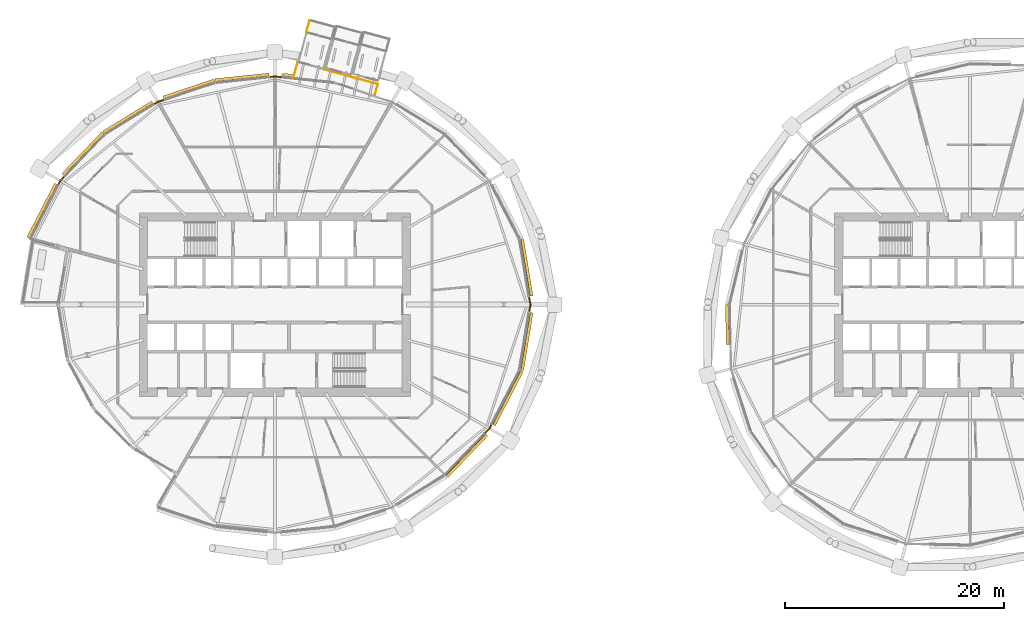
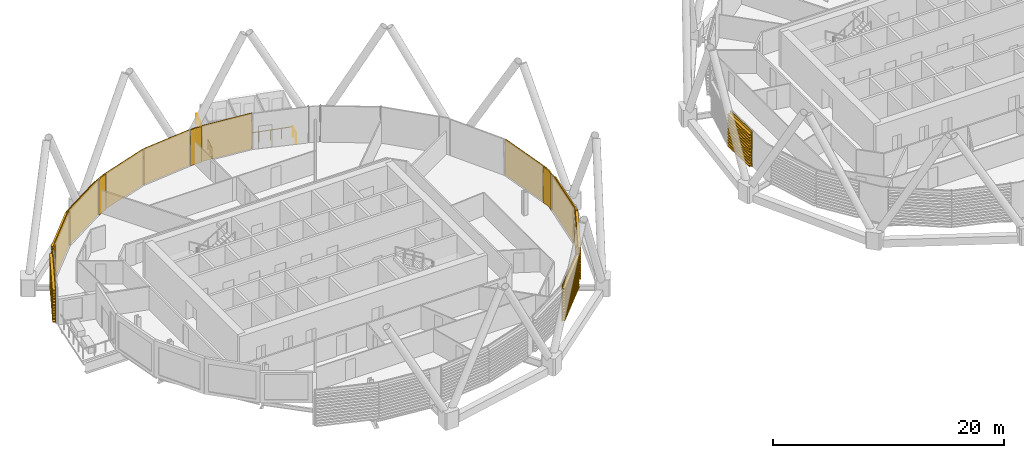
# One storey, part 34 of 38: 16 coverings, 4 railings.
"""IFC4 building model written with IfcOpenShell, lengths in metres."""

from ifc_helpers import new_model, si_unit, direction, frame, origin, origin_2d, place, context, subcontext, project, spatial, polyline, circle, outline, extrude, material, layer, layer_set, material_profile, profile_set, type_object, element, save


model = new_model("IFC4")

# Units and contexts
model_context = context("Model", 3, precision=1e-05, world=origin(), true_north=direction((0.0, 1.0)))
body_context = subcontext(model_context, "Body", "Model", "MODEL_VIEW")
ifc_project = project(units=[si_unit("LENGTHUNIT", "METRE"), si_unit("AREAUNIT", "SQUARE_METRE"), si_unit("VOLUMEUNIT", "CUBIC_METRE"), si_unit("PLANEANGLEUNIT", "RADIAN"), si_unit("MASSUNIT", "GRAM", prefix="KILO")], contexts=[model_context])

# Site, building, storey
site_placement = place(None, origin())
site = spatial("IfcSite", under=ifc_project, at=site_placement, CompositionType="ELEMENT")
building_placement = place(site_placement, origin())
building = spatial("IfcBuilding", under=site, at=building_placement, Name="Rimbun Link Towers", CompositionType="ELEMENT")
storey_placement = place(building_placement, frame((0.0, 0.0, 104.39990234375)))
storey = spatial("IfcBuildingStorey", under=building, at=storey_placement, Name="L25", CompositionType="ELEMENT", Elevation=104.39990234375)

# Railings
ifc_material_1 = material(Name="Stainless steel grade 316", Category="steel")
railing_type = type_object("IfcRailingType", Name="GUARD stainless rail and posts", PredefinedType="GUARDRAIL", material=ifc_material_1)
railing_1_placement = place(storey_placement, frame((-28.584716796875, 25.9755859375, 0.0)))
element("IfcRailing", 1, at=railing_1_placement, inside=storey, type_object=railing_type, Name="GUARD D251.01 balcony", PredefinedType="GUARDRAIL", context=body_context, shape_type="SweptSolid", body=[
    extrude(circle(Radius=0.02392578125, at=origin_2d()), frame((0.0, 0.0, 1.076171875), z_axis=(-0.261859097624, -0.965106114887, 0.0), x_axis=(0.965106114887, -0.261859097624, 0.0)), (0.0, 0.0, 1.0), 1.10009765625),
    extrude(circle(Radius=0.02099609375, at=origin_2d()), origin(), (0.0, 0.0, 1.0), 1.052001953125),
    extrude(circle(Radius=0.02099609375, at=origin_2d()), frame((-0.2880859375, -1.061767578125, 0.0)), (0.0, 0.0, 1.0), 1.052001953125),
])
railing_2_placement = place(storey_placement, frame((-29.680419921875, 22.128173828125, 0.0)))
element("IfcRailing", 2, at=railing_2_placement, inside=storey, type_object=railing_type, Name="GUARD D251 gallery", PredefinedType="GUARDRAIL", context=body_context, shape_type="SweptSolid", body=[
    extrude(circle(Radius=0.02392578125, at=origin_2d()), frame((0.0, 0.0, 1.076171875), z_axis=(-0.261909445068, -0.965092452869, 0.0), x_axis=(0.965092452869, -0.261909445068, 0.0)), (0.0, 0.0, 1.0), 1.419677734375),
    extrude(circle(Radius=0.02099609375, at=origin_2d()), origin(), (0.0, 0.0, 1.0), 1.052001953125),
    extrude(circle(Radius=0.02099609375, at=origin_2d()), frame((-0.18603515625, -0.68505859375, 0.0)), (0.0, 0.0, 1.0), 1.052001953125),
    extrude(circle(Radius=0.02099609375, at=origin_2d()), frame((-0.371826171875, -1.3701171875, 0.0)), (0.0, 0.0, 1.0), 1.052001953125),
])
railing_3_placement = place(storey_placement, frame((-22.35107421875, 20.139404296875, 0.0)))
element("IfcRailing", 3, at=railing_3_placement, inside=storey, type_object=railing_type, Name="GUARD D251 gallery", PredefinedType="GUARDRAIL", context=body_context, shape_type="SweptSolid", body=[
    extrude(circle(Radius=0.02392578125, at=origin_2d()), frame((0.0, 0.0, 1.076171875), z_axis=(-0.261916002754, -0.965090673202, 0.0), x_axis=(0.965090673202, -0.261916002754, 0.0)), (0.0, 0.0, 1.0), 1.031982421875),
    extrude(circle(Radius=0.02099609375, at=origin_2d()), origin(), (0.0, 0.0, 1.0), 1.052001953125),
    extrude(circle(Radius=0.02099609375, at=origin_2d()), frame((-0.270263671875, -0.995849609375, 0.0)), (0.0, 0.0, 1.0), 1.052001953125),
])
railing_4_placement = place(storey_placement, frame((-27.23876953125, 21.465576171875, 0.0)))
element("IfcRailing", 4, at=railing_4_placement, inside=storey, type_object=railing_type, Name="GUARD D251 gallery", PredefinedType="GUARDRAIL", context=body_context, shape_type="SweptSolid", body=[
    extrude(circle(Radius=0.02392578125, at=origin_2d()), frame((0.0, 0.0, 1.076171875), z_axis=(0.965105644262, -0.261860832149, 0.0), x_axis=(0.261860832149, 0.965105644262, 0.0)), (0.0, 0.0, 1.0), 5.064453125),
    extrude(circle(Radius=0.02099609375, at=origin_2d()), origin(), (0.0, 0.0, 1.0), 1.052001953125),
    extrude(circle(Radius=0.02099609375, at=origin_2d()), frame((0.9775390625, -0.26513671875, 0.0)), (0.0, 0.0, 1.0), 1.052001953125),
    extrude(circle(Radius=0.02099609375, at=origin_2d()), frame((1.955078125, -0.530517578125, 0.0)), (0.0, 0.0, 1.0), 1.052001953125),
    extrude(circle(Radius=0.02099609375, at=origin_2d()), frame((2.9326171875, -0.795654296875, 0.0)), (0.0, 0.0, 1.0), 1.052001953125),
    extrude(circle(Radius=0.02099609375, at=origin_2d()), frame((3.91015625, -1.06103515625, 0.0)), (0.0, 0.0, 1.0), 1.052001953125),
    extrude(circle(Radius=0.02099609375, at=origin_2d()), frame((4.8876953125, -1.326171875, 0.0)), (0.0, 0.0, 1.0), 1.052001953125),
])

# Coverings
ifc_material_2 = material(Name="Terracotta", Category="masonry")
ifc_layer = layer(ifc_material_2, 0.1201171875)
ifc_layer_set = layer_set([ifc_layer], Name="LINK PIER terracotta cladding 120")
covering_type_1 = type_object("IfcCoveringType", Name="LINK PIER terracotta cladding 120", PredefinedType="CLADDING", material=ifc_layer_set)
covering_1_placement = place(storey_placement, origin())
element("IfcCovering", 5, at=covering_1_placement, inside=storey, type_object=covering_type_1, Name="LINK PIER cladding", PredefinedType="CLADDING", context=body_context, shape_type="SweptSolid", body=[
    extrude(outline(polyline([(-8.584228515625, 0.71044921875), (-8.46728515625, 0.0), (-8.576171875, -0.6611328125), (-8.457763671875, -0.6806640625), (-8.345703125, 0.0), (-8.4658203125, 0.72998046875), (-8.584228515625, 0.71044921875)])), origin(), (0.0, 0.0, 1.0), 3.800048828125),
])
covering_2_placement = place(storey_placement, origin())
element("IfcCovering", 6, at=covering_2_placement, inside=storey, type_object=covering_type_1, Name="LINK PIER cladding", PredefinedType="CLADDING", context=body_context, shape_type="SweptSolid", body=[
    extrude(outline(polyline([(-32.217529296875, 20.73876953125), (-31.75, 20.7880859375), (-31.13330078125, 20.72314453125), (-31.120849609375, 20.84228515625), (-31.75, 20.90869140625), (-32.22998046875, 20.858154296875), (-32.217529296875, 20.73876953125)])), origin(), (0.0, 0.0, 1.0), 3.800048828125),
])
covering_3_placement = place(storey_placement, origin())
element("IfcCovering", 7, at=covering_3_placement, inside=storey, type_object=covering_type_1, Name="LINK PIER cladding", PredefinedType="CLADDING", context=body_context, shape_type="SweptSolid", body=[
    extrude(outline(polyline([(-42.77587890625, 18.2578125), (-42.41796875, 18.4775390625), (-41.876953125, 18.65673828125), (-41.914794921875, 18.770751953125), (-42.468994140625, 18.5869140625), (-42.838623046875, 18.360107421875), (-42.77587890625, 18.2578125)])), origin(), (0.0, 0.0, 1.0), 3.800048828125),
])
covering_4_placement = place(storey_placement, origin())
element("IfcCovering", 8, at=covering_4_placement, inside=storey, type_object=covering_type_1, Name="LINK PIER cladding", PredefinedType="CLADDING", context=body_context, shape_type="SweptSolid", body=[
    extrude(outline(polyline([(-51.494140625, 10.914794921875), (-51.30126953125, 11.287841796875), (-50.94140625, 11.663330078125), (-51.02783203125, 11.746337890625), (-51.39990234375, 11.3583984375), (-51.600830078125, 10.969970703125), (-51.494140625, 10.914794921875)])), origin(), (0.0, 0.0, 1.0), 3.800048828125),
])
covering_5_placement = place(storey_placement, origin())
element("IfcCovering", 9, at=covering_5_placement, inside=storey, type_object=covering_type_1, Name="LINK PIER cladding", PredefinedType="CLADDING", context=body_context, shape_type="SweptSolid", body=[
    extrude(outline(polyline([(-12.005859375, -10.914794921875), (-12.19873046875, -11.287841796875), (-12.59326171875, -11.699462890625), (-12.506591796875, -11.782470703125), (-12.10009765625, -11.3583984375), (-11.899169921875, -10.969970703125), (-12.005859375, -10.914794921875)])), origin(), (0.0, 0.0, 1.0), 3.800048828125),
])
ifc_material_3 = material(Name="Terracotta", Category="masonry")
ifc_material_profile = material_profile(ifc_material_3, outline(polyline([(0.123046875, 0.0), (0.1630859375, 0.0), (0.1630859375, 0.10009765625), (0.423095703125, 0.10009765625), (0.423095703125, 0.219970703125), (0.1630859375, 0.219970703125), (0.1630859375, 0.39990234375), (0.423095703125, 0.39990234375), (0.423095703125, 0.52001953125), (0.1630859375, 0.52001953125), (0.1630859375, 0.699951171875), (0.423095703125, 0.699951171875), (0.423095703125, 0.820068359375), (0.1630859375, 0.820068359375), (0.1630859375, 1.0), (0.423095703125, 1.0), (0.423095703125, 1.1201171875), (0.1630859375, 1.1201171875), (0.1630859375, 1.300048828125), (0.423095703125, 1.300048828125), (0.423095703125, 1.419921875), (0.1630859375, 1.419921875), (0.1630859375, 1.60009765625), (0.423095703125, 1.60009765625), (0.423095703125, 1.719970703125), (0.1630859375, 1.719970703125), (0.1630859375, 1.89990234375), (0.423095703125, 1.89990234375), (0.423095703125, 2.02001953125), (0.1630859375, 2.02001953125), (0.1630859375, 2.199951171875), (0.423095703125, 2.199951171875), (0.423095703125, 2.320068359375), (0.1630859375, 2.320068359375), (0.1630859375, 2.5), (0.423095703125, 2.5), (0.423095703125, 2.6201171875), (0.1630859375, 2.6201171875), (0.1630859375, 2.800048828125), (0.423095703125, 2.800048828125), (0.423095703125, 2.919921875), (0.1630859375, 2.919921875), (0.1630859375, 3.10009765625), (0.423095703125, 3.10009765625), (0.423095703125, 3.219970703125), (0.1630859375, 3.219970703125), (0.1630859375, 3.39990234375), (0.423095703125, 3.39990234375), (0.423095703125, 3.52001953125), (0.1630859375, 3.52001953125), (0.1630859375, 3.800048828125), (0.123046875, 3.800048828125), (0.123046875, 0.0)])), Name="BAGUETTE 120X300")
ifc_profile_set = profile_set([ifc_material_profile], Name="Terracotta")
covering_type_2 = type_object("IfcCoveringType", Name="TERRACOTTA BAGUETTE 120X300 H3800", PredefinedType="CLADDING", material=ifc_profile_set)
covering_6_placement = place(storey_placement, frame((-9.449951171875, 5.975341796875, 0.0), z_axis=(0.16224956335, -0.986749755101, 0.0), x_axis=(0.986749755101, 0.16224956335, 0.0)))
element("IfcCovering", 10, at=covering_6_placement, inside=storey, type_object=covering_type_2, Name="TERRACOTTA BAGUETTE", PredefinedType="CLADDING", context=body_context, shape_type="SweptSolid", body=[
    extrude(outline(polyline([(0.123046875, 0.0), (0.1630859375, 0.0), (0.1630859375, 0.10009765625), (0.423095703125, 0.10009765625), (0.423095703125, 0.219970703125), (0.1630859375, 0.219970703125), (0.1630859375, 0.39990234375), (0.423095703125, 0.39990234375), (0.423095703125, 0.52001953125), (0.1630859375, 0.52001953125), (0.1630859375, 0.699951171875), (0.423095703125, 0.699951171875), (0.423095703125, 0.820068359375), (0.1630859375, 0.820068359375), (0.1630859375, 1.0), (0.423095703125, 1.0), (0.423095703125, 1.1201171875), (0.1630859375, 1.1201171875), (0.1630859375, 1.300048828125), (0.423095703125, 1.300048828125), (0.423095703125, 1.419921875), (0.1630859375, 1.419921875), (0.1630859375, 1.60009765625), (0.423095703125, 1.60009765625), (0.423095703125, 1.719970703125), (0.1630859375, 1.719970703125), (0.1630859375, 1.89990234375), (0.423095703125, 1.89990234375), (0.423095703125, 2.02001953125), (0.1630859375, 2.02001953125), (0.1630859375, 2.199951171875), (0.423095703125, 2.199951171875), (0.423095703125, 2.320068359375), (0.1630859375, 2.320068359375), (0.1630859375, 2.5), (0.423095703125, 2.5), (0.423095703125, 2.6201171875), (0.1630859375, 2.6201171875), (0.1630859375, 2.800048828125), (0.423095703125, 2.800048828125), (0.423095703125, 2.919921875), (0.1630859375, 2.919921875), (0.1630859375, 3.10009765625), (0.423095703125, 3.10009765625), (0.423095703125, 3.219970703125), (0.1630859375, 3.219970703125), (0.1630859375, 3.39990234375), (0.423095703125, 3.39990234375), (0.423095703125, 3.52001953125), (0.1630859375, 3.52001953125), (0.1630859375, 3.800048828125), (0.123046875, 3.800048828125), (0.123046875, 0.0)])), origin(), (0.0, 0.0, 1.0), 5.3056640625),
])
covering_7_placement = place(storey_placement, frame((-31.103515625, 20.719970703125, 0.0), z_axis=(0.994499874196, -0.10473776885, 0.0), x_axis=(0.10473776885, 0.994499874196, 0.0)))
element("IfcCovering", 11, at=covering_7_placement, inside=storey, type_object=covering_type_2, Name="TERRACOTTA BAGUETTE", PredefinedType="CLADDING", context=body_context, shape_type="SweptSolid", body=[
    extrude(outline(polyline([(0.123046875, 0.0), (0.1630859375, 0.0), (0.1630859375, 0.10009765625), (0.423095703125, 0.10009765625), (0.423095703125, 0.219970703125), (0.1630859375, 0.219970703125), (0.1630859375, 0.39990234375), (0.423095703125, 0.39990234375), (0.423095703125, 0.52001953125), (0.1630859375, 0.52001953125), (0.1630859375, 0.699951171875), (0.423095703125, 0.699951171875), (0.423095703125, 0.820068359375), (0.1630859375, 0.820068359375), (0.1630859375, 1.0), (0.423095703125, 1.0), (0.423095703125, 1.1201171875), (0.1630859375, 1.1201171875), (0.1630859375, 1.300048828125), (0.423095703125, 1.300048828125), (0.423095703125, 1.419921875), (0.1630859375, 1.419921875), (0.1630859375, 1.60009765625), (0.423095703125, 1.60009765625), (0.423095703125, 1.719970703125), (0.1630859375, 1.719970703125), (0.1630859375, 1.89990234375), (0.423095703125, 1.89990234375), (0.423095703125, 2.02001953125), (0.1630859375, 2.02001953125), (0.1630859375, 2.199951171875), (0.423095703125, 2.199951171875), (0.423095703125, 2.320068359375), (0.1630859375, 2.320068359375), (0.1630859375, 2.5), (0.423095703125, 2.5), (0.423095703125, 2.6201171875), (0.1630859375, 2.6201171875), (0.1630859375, 2.800048828125), (0.423095703125, 2.800048828125), (0.423095703125, 2.919921875), (0.1630859375, 2.919921875), (0.1630859375, 3.10009765625), (0.423095703125, 3.10009765625), (0.423095703125, 3.219970703125), (0.1630859375, 3.219970703125), (0.1630859375, 3.39990234375), (0.423095703125, 3.39990234375), (0.423095703125, 3.52001953125), (0.1630859375, 3.52001953125), (0.1630859375, 3.800048828125), (0.123046875, 3.800048828125), (0.123046875, 0.0)])), origin(), (0.0, 0.0, 1.0), 4.797119140625),
])
covering_8_placement = place(storey_placement, frame((-37.167236328125, 20.217529296875, 0.0), z_axis=(0.994501666516, 0.104720749124, 0.0), x_axis=(-0.104720749124, 0.994501666516, 0.0)))
element("IfcCovering", 12, at=covering_8_placement, inside=storey, type_object=covering_type_2, Name="TERRACOTTA BAGUETTE", PredefinedType="CLADDING", context=body_context, shape_type="SweptSolid", body=[
    extrude(outline(polyline([(0.123046875, 0.0), (0.1630859375, 0.0), (0.1630859375, 0.10009765625), (0.423095703125, 0.10009765625), (0.423095703125, 0.219970703125), (0.1630859375, 0.219970703125), (0.1630859375, 0.39990234375), (0.423095703125, 0.39990234375), (0.423095703125, 0.52001953125), (0.1630859375, 0.52001953125), (0.1630859375, 0.699951171875), (0.423095703125, 0.699951171875), (0.423095703125, 0.820068359375), (0.1630859375, 0.820068359375), (0.1630859375, 1.0), (0.423095703125, 1.0), (0.423095703125, 1.1201171875), (0.1630859375, 1.1201171875), (0.1630859375, 1.300048828125), (0.423095703125, 1.300048828125), (0.423095703125, 1.419921875), (0.1630859375, 1.419921875), (0.1630859375, 1.60009765625), (0.423095703125, 1.60009765625), (0.423095703125, 1.719970703125), (0.1630859375, 1.719970703125), (0.1630859375, 1.89990234375), (0.423095703125, 1.89990234375), (0.423095703125, 2.02001953125), (0.1630859375, 2.02001953125), (0.1630859375, 2.199951171875), (0.423095703125, 2.199951171875), (0.423095703125, 2.320068359375), (0.1630859375, 2.320068359375), (0.1630859375, 2.5), (0.423095703125, 2.5), (0.423095703125, 2.6201171875), (0.1630859375, 2.6201171875), (0.1630859375, 2.800048828125), (0.423095703125, 2.800048828125), (0.423095703125, 2.919921875), (0.1630859375, 2.919921875), (0.1630859375, 3.10009765625), (0.423095703125, 3.10009765625), (0.423095703125, 3.219970703125), (0.1630859375, 3.219970703125), (0.1630859375, 3.39990234375), (0.423095703125, 3.39990234375), (0.423095703125, 3.52001953125), (0.1630859375, 3.52001953125), (0.1630859375, 3.800048828125), (0.123046875, 3.800048828125), (0.123046875, 0.0)])), origin(), (0.0, 0.0, 1.0), 4.947021484375),
])
covering_9_placement = place(storey_placement, frame((-41.848388671875, 18.666259765625, 0.0), z_axis=(0.949236311766, 0.314563863824, 0.0), x_axis=(-0.314563863824, 0.949236311766, 0.0)))
element("IfcCovering", 13, at=covering_9_placement, inside=storey, type_object=covering_type_2, Name="TERRACOTTA BAGUETTE", PredefinedType="CLADDING", context=body_context, shape_type="SweptSolid", body=[
    extrude(outline(polyline([(0.123046875, 0.0), (0.1630859375, 0.0), (0.1630859375, 0.10009765625), (0.423095703125, 0.10009765625), (0.423095703125, 0.219970703125), (0.1630859375, 0.219970703125), (0.1630859375, 0.39990234375), (0.423095703125, 0.39990234375), (0.423095703125, 0.52001953125), (0.1630859375, 0.52001953125), (0.1630859375, 0.699951171875), (0.423095703125, 0.699951171875), (0.423095703125, 0.820068359375), (0.1630859375, 0.820068359375), (0.1630859375, 1.0), (0.423095703125, 1.0), (0.423095703125, 1.1201171875), (0.1630859375, 1.1201171875), (0.1630859375, 1.300048828125), (0.423095703125, 1.300048828125), (0.423095703125, 1.419921875), (0.1630859375, 1.419921875), (0.1630859375, 1.60009765625), (0.423095703125, 1.60009765625), (0.423095703125, 1.719970703125), (0.1630859375, 1.719970703125), (0.1630859375, 1.89990234375), (0.423095703125, 1.89990234375), (0.423095703125, 2.02001953125), (0.1630859375, 2.02001953125), (0.1630859375, 2.199951171875), (0.423095703125, 2.199951171875), (0.423095703125, 2.320068359375), (0.1630859375, 2.320068359375), (0.1630859375, 2.5), (0.423095703125, 2.5), (0.423095703125, 2.6201171875), (0.1630859375, 2.6201171875), (0.1630859375, 2.800048828125), (0.423095703125, 2.800048828125), (0.423095703125, 2.919921875), (0.1630859375, 2.919921875), (0.1630859375, 3.10009765625), (0.423095703125, 3.10009765625), (0.423095703125, 3.219970703125), (0.1630859375, 3.219970703125), (0.1630859375, 3.39990234375), (0.423095703125, 3.39990234375), (0.423095703125, 3.52001953125), (0.1630859375, 3.52001953125), (0.1630859375, 3.800048828125), (0.123046875, 3.800048828125), (0.123046875, 0.0)])), origin(), (0.0, 0.0, 1.0), 4.931396484375),
])
covering_10_placement = place(storey_placement, frame((-47.256591796875, 15.506591796875, 0.0), z_axis=(0.852190222668, 0.523232094189, 0.0), x_axis=(-0.523232094189, 0.852190222668, 0.0)))
element("IfcCovering", 14, at=covering_10_placement, inside=storey, type_object=covering_type_2, Name="TERRACOTTA BAGUETTE", PredefinedType="CLADDING", context=body_context, shape_type="SweptSolid", body=[
    extrude(outline(polyline([(0.123046875, 0.0), (0.1630859375, 0.0), (0.1630859375, 0.10009765625), (0.423095703125, 0.10009765625), (0.423095703125, 0.219970703125), (0.1630859375, 0.219970703125), (0.1630859375, 0.39990234375), (0.423095703125, 0.39990234375), (0.423095703125, 0.52001953125), (0.1630859375, 0.52001953125), (0.1630859375, 0.699951171875), (0.423095703125, 0.699951171875), (0.423095703125, 0.820068359375), (0.1630859375, 0.820068359375), (0.1630859375, 1.0), (0.423095703125, 1.0), (0.423095703125, 1.1201171875), (0.1630859375, 1.1201171875), (0.1630859375, 1.300048828125), (0.423095703125, 1.300048828125), (0.423095703125, 1.419921875), (0.1630859375, 1.419921875), (0.1630859375, 1.60009765625), (0.423095703125, 1.60009765625), (0.423095703125, 1.719970703125), (0.1630859375, 1.719970703125), (0.1630859375, 1.89990234375), (0.423095703125, 1.89990234375), (0.423095703125, 2.02001953125), (0.1630859375, 2.02001953125), (0.1630859375, 2.199951171875), (0.423095703125, 2.199951171875), (0.423095703125, 2.320068359375), (0.1630859375, 2.320068359375), (0.1630859375, 2.5), (0.423095703125, 2.5), (0.423095703125, 2.6201171875), (0.1630859375, 2.6201171875), (0.1630859375, 2.800048828125), (0.423095703125, 2.800048828125), (0.423095703125, 2.919921875), (0.1630859375, 2.919921875), (0.1630859375, 3.10009765625), (0.423095703125, 3.10009765625), (0.423095703125, 3.219970703125), (0.1630859375, 3.219970703125), (0.1630859375, 3.39990234375), (0.423095703125, 3.39990234375), (0.423095703125, 3.52001953125), (0.1630859375, 3.52001953125), (0.1630859375, 3.800048828125), (0.123046875, 3.800048828125), (0.123046875, 0.0)])), origin(), (0.0, 0.0, 1.0), 5.227783203125),
])
covering_11_placement = place(storey_placement, frame((-50.920654296875, 11.684814453125, 0.0), z_axis=(0.692055578848, 0.721844218502, 0.0), x_axis=(-0.721844218502, 0.692055578848, 0.0)))
element("IfcCovering", 15, at=covering_11_placement, inside=storey, type_object=covering_type_2, Name="TERRACOTTA BAGUETTE", PredefinedType="CLADDING", context=body_context, shape_type="SweptSolid", body=[
    extrude(outline(polyline([(0.123046875, 0.0), (0.1630859375, 0.0), (0.1630859375, 0.10009765625), (0.423095703125, 0.10009765625), (0.423095703125, 0.219970703125), (0.1630859375, 0.219970703125), (0.1630859375, 0.39990234375), (0.423095703125, 0.39990234375), (0.423095703125, 0.52001953125), (0.1630859375, 0.52001953125), (0.1630859375, 0.699951171875), (0.423095703125, 0.699951171875), (0.423095703125, 0.820068359375), (0.1630859375, 0.820068359375), (0.1630859375, 1.0), (0.423095703125, 1.0), (0.423095703125, 1.1201171875), (0.1630859375, 1.1201171875), (0.1630859375, 1.300048828125), (0.423095703125, 1.300048828125), (0.423095703125, 1.419921875), (0.1630859375, 1.419921875), (0.1630859375, 1.60009765625), (0.423095703125, 1.60009765625), (0.423095703125, 1.719970703125), (0.1630859375, 1.719970703125), (0.1630859375, 1.89990234375), (0.423095703125, 1.89990234375), (0.423095703125, 2.02001953125), (0.1630859375, 2.02001953125), (0.1630859375, 2.199951171875), (0.423095703125, 2.199951171875), (0.423095703125, 2.320068359375), (0.1630859375, 2.320068359375), (0.1630859375, 2.5), (0.423095703125, 2.5), (0.423095703125, 2.6201171875), (0.1630859375, 2.6201171875), (0.1630859375, 2.800048828125), (0.423095703125, 2.800048828125), (0.423095703125, 2.919921875), (0.1630859375, 2.919921875), (0.1630859375, 3.10009765625), (0.423095703125, 3.10009765625), (0.423095703125, 3.219970703125), (0.1630859375, 3.219970703125), (0.1630859375, 3.39990234375), (0.423095703125, 3.39990234375), (0.423095703125, 3.52001953125), (0.1630859375, 3.52001953125), (0.1630859375, 3.800048828125), (0.123046875, 3.800048828125), (0.123046875, 0.0)])), origin(), (0.0, 0.0, 1.0), 5.29443359375),
])
covering_12_placement = place(storey_placement, frame((-54.050048828125, 5.975341796875, 0.0), z_axis=(0.459546586995, 0.888153665973, 0.0), x_axis=(-0.888153665973, 0.459546586995, 0.0)))
element("IfcCovering", 16, at=covering_12_placement, inside=storey, type_object=covering_type_2, Name="TERRACOTTA BAGUETTE", PredefinedType="CLADDING", context=body_context, shape_type="SweptSolid", body=[
    extrude(outline(polyline([(0.123046875, 0.0), (0.1630859375, 0.0), (0.1630859375, 0.10009765625), (0.423095703125, 0.10009765625), (0.423095703125, 0.219970703125), (0.1630859375, 0.219970703125), (0.1630859375, 0.39990234375), (0.423095703125, 0.39990234375), (0.423095703125, 0.52001953125), (0.1630859375, 0.52001953125), (0.1630859375, 0.699951171875), (0.423095703125, 0.699951171875), (0.423095703125, 0.820068359375), (0.1630859375, 0.820068359375), (0.1630859375, 1.0), (0.423095703125, 1.0), (0.423095703125, 1.1201171875), (0.1630859375, 1.1201171875), (0.1630859375, 1.300048828125), (0.423095703125, 1.300048828125), (0.423095703125, 1.419921875), (0.1630859375, 1.419921875), (0.1630859375, 1.60009765625), (0.423095703125, 1.60009765625), (0.423095703125, 1.719970703125), (0.1630859375, 1.719970703125), (0.1630859375, 1.89990234375), (0.423095703125, 1.89990234375), (0.423095703125, 2.02001953125), (0.1630859375, 2.02001953125), (0.1630859375, 2.199951171875), (0.423095703125, 2.199951171875), (0.423095703125, 2.320068359375), (0.1630859375, 2.320068359375), (0.1630859375, 2.5), (0.423095703125, 2.5), (0.423095703125, 2.6201171875), (0.1630859375, 2.6201171875), (0.1630859375, 2.800048828125), (0.423095703125, 2.800048828125), (0.423095703125, 2.919921875), (0.1630859375, 2.919921875), (0.1630859375, 3.10009765625), (0.423095703125, 3.10009765625), (0.423095703125, 3.219970703125), (0.1630859375, 3.219970703125), (0.1630859375, 3.39990234375), (0.423095703125, 3.39990234375), (0.423095703125, 3.52001953125), (0.1630859375, 3.52001953125), (0.1630859375, 3.800048828125), (0.123046875, 3.800048828125), (0.123046875, 0.0)])), origin(), (0.0, 0.0, 1.0), 5.531494140625),
])
covering_13_placement = place(storey_placement, frame((-12.614013671875, -11.720947265625, 0.0), z_axis=(-0.692052969394, -0.721846720262, 0.0), x_axis=(0.721846720262, -0.692052969394, 0.0)))
element("IfcCovering", 17, at=covering_13_placement, inside=storey, type_object=covering_type_2, Name="TERRACOTTA BAGUETTE", PredefinedType="CLADDING", context=body_context, shape_type="SweptSolid", body=[
    extrude(outline(polyline([(0.123046875, 0.0), (0.1630859375, 0.0), (0.1630859375, 0.10009765625), (0.423095703125, 0.10009765625), (0.423095703125, 0.219970703125), (0.1630859375, 0.219970703125), (0.1630859375, 0.39990234375), (0.423095703125, 0.39990234375), (0.423095703125, 0.52001953125), (0.1630859375, 0.52001953125), (0.1630859375, 0.699951171875), (0.423095703125, 0.699951171875), (0.423095703125, 0.820068359375), (0.1630859375, 0.820068359375), (0.1630859375, 1.0), (0.423095703125, 1.0), (0.423095703125, 1.1201171875), (0.1630859375, 1.1201171875), (0.1630859375, 1.300048828125), (0.423095703125, 1.300048828125), (0.423095703125, 1.419921875), (0.1630859375, 1.419921875), (0.1630859375, 1.60009765625), (0.423095703125, 1.60009765625), (0.423095703125, 1.719970703125), (0.1630859375, 1.719970703125), (0.1630859375, 1.89990234375), (0.423095703125, 1.89990234375), (0.423095703125, 2.02001953125), (0.1630859375, 2.02001953125), (0.1630859375, 2.199951171875), (0.423095703125, 2.199951171875), (0.423095703125, 2.320068359375), (0.1630859375, 2.320068359375), (0.1630859375, 2.5), (0.423095703125, 2.5), (0.423095703125, 2.6201171875), (0.1630859375, 2.6201171875), (0.1630859375, 2.800048828125), (0.423095703125, 2.800048828125), (0.423095703125, 2.919921875), (0.1630859375, 2.919921875), (0.1630859375, 3.10009765625), (0.423095703125, 3.10009765625), (0.423095703125, 3.219970703125), (0.1630859375, 3.219970703125), (0.1630859375, 3.39990234375), (0.423095703125, 3.39990234375), (0.423095703125, 3.52001953125), (0.1630859375, 3.52001953125), (0.1630859375, 3.800048828125), (0.123046875, 3.800048828125), (0.123046875, 0.0)])), origin(), (0.0, 0.0, 1.0), 5.244384765625),
])
covering_14_placement = place(storey_placement, frame((-9.449951171875, -5.975341796875, 0.0), z_axis=(-0.459546586995, -0.888153665973, 0.0), x_axis=(0.888153665973, -0.459546586995, 0.0)))
element("IfcCovering", 18, at=covering_14_placement, inside=storey, type_object=covering_type_2, Name="TERRACOTTA BAGUETTE", PredefinedType="CLADDING", context=body_context, shape_type="SweptSolid", body=[
    extrude(outline(polyline([(0.123046875, 0.0), (0.1630859375, 0.0), (0.1630859375, 0.10009765625), (0.423095703125, 0.10009765625), (0.423095703125, 0.219970703125), (0.1630859375, 0.219970703125), (0.1630859375, 0.39990234375), (0.423095703125, 0.39990234375), (0.423095703125, 0.52001953125), (0.1630859375, 0.52001953125), (0.1630859375, 0.699951171875), (0.423095703125, 0.699951171875), (0.423095703125, 0.820068359375), (0.1630859375, 0.820068359375), (0.1630859375, 1.0), (0.423095703125, 1.0), (0.423095703125, 1.1201171875), (0.1630859375, 1.1201171875), (0.1630859375, 1.300048828125), (0.423095703125, 1.300048828125), (0.423095703125, 1.419921875), (0.1630859375, 1.419921875), (0.1630859375, 1.60009765625), (0.423095703125, 1.60009765625), (0.423095703125, 1.719970703125), (0.1630859375, 1.719970703125), (0.1630859375, 1.89990234375), (0.423095703125, 1.89990234375), (0.423095703125, 2.02001953125), (0.1630859375, 2.02001953125), (0.1630859375, 2.199951171875), (0.423095703125, 2.199951171875), (0.423095703125, 2.320068359375), (0.1630859375, 2.320068359375), (0.1630859375, 2.5), (0.423095703125, 2.5), (0.423095703125, 2.6201171875), (0.1630859375, 2.6201171875), (0.1630859375, 2.800048828125), (0.423095703125, 2.800048828125), (0.423095703125, 2.919921875), (0.1630859375, 2.919921875), (0.1630859375, 3.10009765625), (0.423095703125, 3.10009765625), (0.423095703125, 3.219970703125), (0.1630859375, 3.219970703125), (0.1630859375, 3.39990234375), (0.423095703125, 3.39990234375), (0.423095703125, 3.52001953125), (0.1630859375, 3.52001953125), (0.1630859375, 3.800048828125), (0.123046875, 3.800048828125), (0.123046875, 0.0)])), origin(), (0.0, 0.0, 1.0), 5.531494140625),
])
covering_15_placement = place(storey_placement, frame((-8.5810546875, -0.690673828125, 0.0), z_axis=(-0.162240042045, -0.986751320626, 0.0), x_axis=(0.986751320626, -0.162240042045, 0.0)))
element("IfcCovering", 19, at=covering_15_placement, inside=storey, type_object=covering_type_2, Name="TERRACOTTA BAGUETTE", PredefinedType="CLADDING", context=body_context, shape_type="SweptSolid", body=[
    extrude(outline(polyline([(0.123046875, 0.0), (0.1630859375, 0.0), (0.1630859375, 0.10009765625), (0.423095703125, 0.10009765625), (0.423095703125, 0.219970703125), (0.1630859375, 0.219970703125), (0.1630859375, 0.39990234375), (0.423095703125, 0.39990234375), (0.423095703125, 0.52001953125), (0.1630859375, 0.52001953125), (0.1630859375, 0.699951171875), (0.423095703125, 0.699951171875), (0.423095703125, 0.820068359375), (0.1630859375, 0.820068359375), (0.1630859375, 1.0), (0.423095703125, 1.0), (0.423095703125, 1.1201171875), (0.1630859375, 1.1201171875), (0.1630859375, 1.300048828125), (0.423095703125, 1.300048828125), (0.423095703125, 1.419921875), (0.1630859375, 1.419921875), (0.1630859375, 1.60009765625), (0.423095703125, 1.60009765625), (0.423095703125, 1.719970703125), (0.1630859375, 1.719970703125), (0.1630859375, 1.89990234375), (0.423095703125, 1.89990234375), (0.423095703125, 2.02001953125), (0.1630859375, 2.02001953125), (0.1630859375, 2.199951171875), (0.423095703125, 2.199951171875), (0.423095703125, 2.320068359375), (0.1630859375, 2.320068359375), (0.1630859375, 2.5), (0.423095703125, 2.5), (0.423095703125, 2.6201171875), (0.1630859375, 2.6201171875), (0.1630859375, 2.800048828125), (0.423095703125, 2.800048828125), (0.423095703125, 2.919921875), (0.1630859375, 2.919921875), (0.1630859375, 3.10009765625), (0.423095703125, 3.10009765625), (0.423095703125, 3.219970703125), (0.1630859375, 3.219970703125), (0.1630859375, 3.39990234375), (0.423095703125, 3.39990234375), (0.423095703125, 3.52001953125), (0.1630859375, 3.52001953125), (0.1630859375, 3.800048828125), (0.123046875, 3.800048828125), (0.123046875, 0.0)])), origin(), (0.0, 0.0, 1.0), 5.355712890625),
])
covering_16_placement = place(storey_placement, frame((9.897216796875, -3.6435546875, 0.0), z_axis=(-0.021102241806, 0.999777322903, 0.0), x_axis=(-0.999777322903, -0.021102241806, 0.0)))
element("IfcCovering", 20, at=covering_16_placement, inside=storey, type_object=covering_type_2, Name="TERRACOTTA BAGUETTE", PredefinedType="CLADDING", context=body_context, shape_type="SweptSolid", body=[
    extrude(outline(polyline([(0.123046875, 0.0), (0.1630859375, 0.0), (0.1630859375, 0.10009765625), (0.423095703125, 0.10009765625), (0.423095703125, 0.219970703125), (0.1630859375, 0.219970703125), (0.1630859375, 0.39990234375), (0.423095703125, 0.39990234375), (0.423095703125, 0.52001953125), (0.1630859375, 0.52001953125), (0.1630859375, 0.699951171875), (0.423095703125, 0.699951171875), (0.423095703125, 0.820068359375), (0.1630859375, 0.820068359375), (0.1630859375, 1.0), (0.423095703125, 1.0), (0.423095703125, 1.1201171875), (0.1630859375, 1.1201171875), (0.1630859375, 1.300048828125), (0.423095703125, 1.300048828125), (0.423095703125, 1.419921875), (0.1630859375, 1.419921875), (0.1630859375, 1.60009765625), (0.423095703125, 1.60009765625), (0.423095703125, 1.719970703125), (0.1630859375, 1.719970703125), (0.1630859375, 1.89990234375), (0.423095703125, 1.89990234375), (0.423095703125, 2.02001953125), (0.1630859375, 2.02001953125), (0.1630859375, 2.199951171875), (0.423095703125, 2.199951171875), (0.423095703125, 2.320068359375), (0.1630859375, 2.320068359375), (0.1630859375, 2.5), (0.423095703125, 2.5), (0.423095703125, 2.6201171875), (0.1630859375, 2.6201171875), (0.1630859375, 2.800048828125), (0.423095703125, 2.800048828125), (0.423095703125, 2.919921875), (0.1630859375, 2.919921875), (0.1630859375, 3.10009765625), (0.423095703125, 3.10009765625), (0.423095703125, 3.219970703125), (0.1630859375, 3.219970703125), (0.1630859375, 3.39990234375), (0.423095703125, 3.39990234375), (0.423095703125, 3.52001953125), (0.1630859375, 3.52001953125), (0.1630859375, 3.800048828125), (0.123046875, 3.800048828125), (0.123046875, 0.0)])), origin(), (0.0, 0.0, 1.0), 3.644287109375),
])

save(model, "model.ifc")
